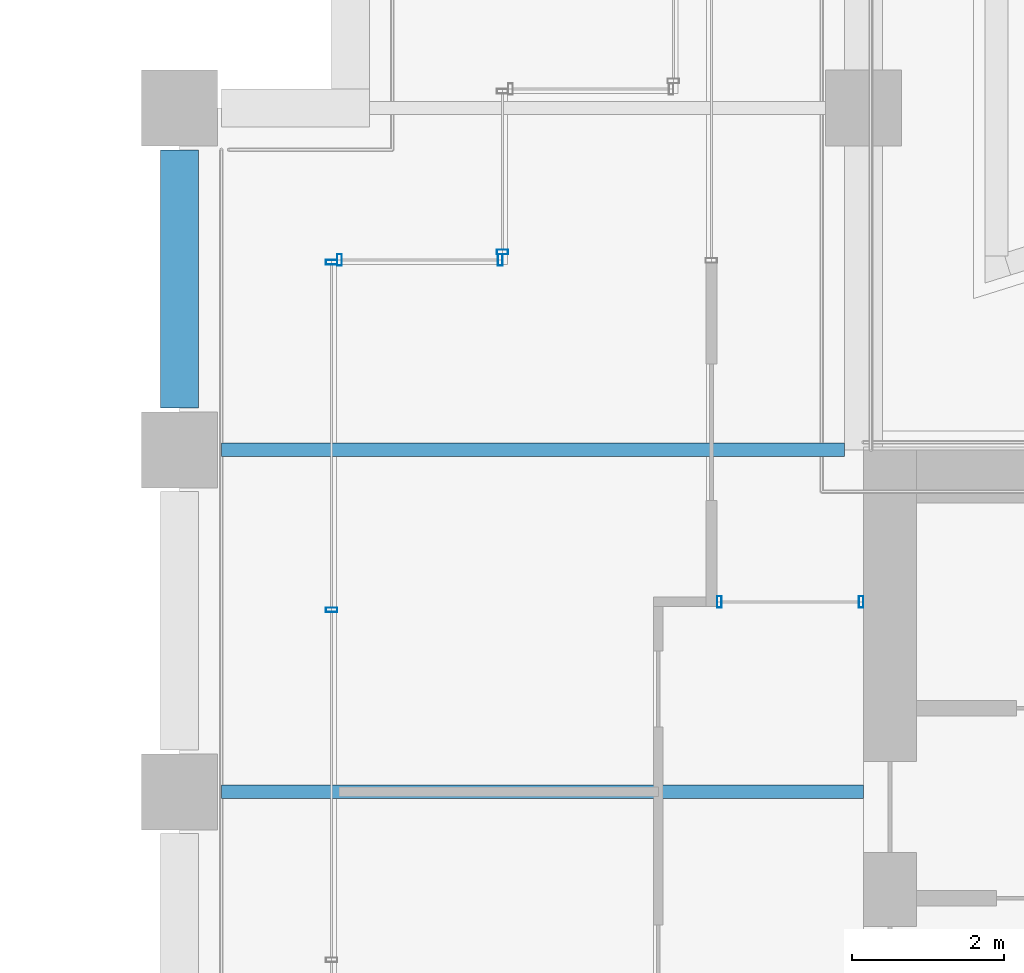
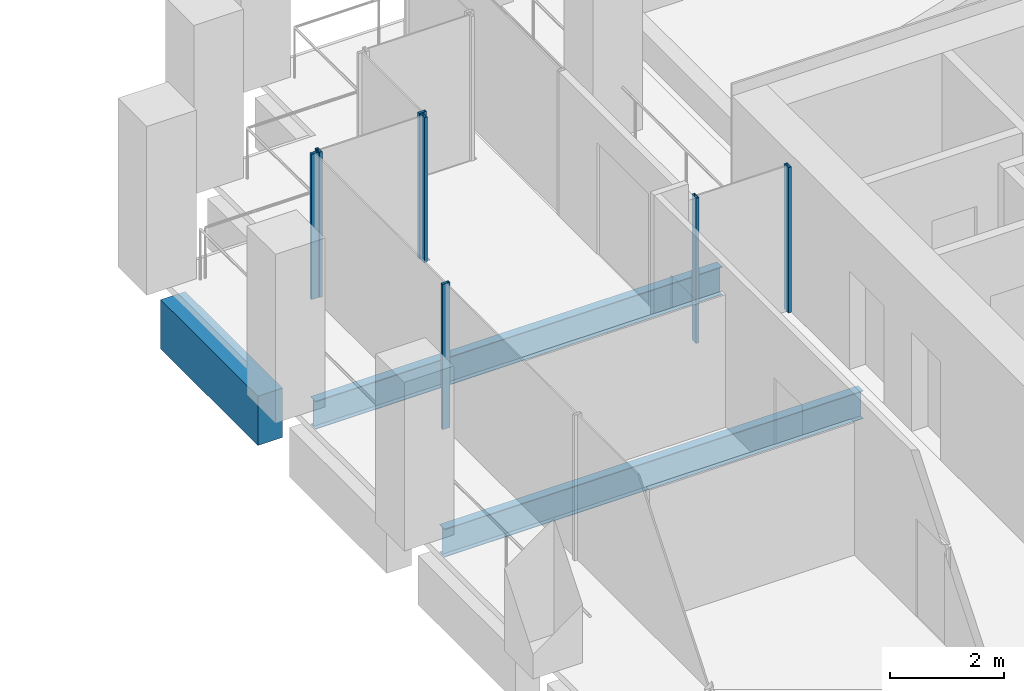
# One storey, part 36 of 52: 7 members, 3 beams, 4 elements without a shape of their own.
"""IFC4 building model written with IfcOpenShell, lengths in metres."""

from ifc_helpers import new_model, si_unit, direction, frame, origin, origin_2d, place, context, subcontext, project, spatial, rectangle, hollow_rectangle, i_section, extrude, material, material_profile, profile_set, type_object, element, aggregate, save


model = new_model("IFC4")

# Units and contexts
model_context = context("Model", 3, precision=1e-05, world=origin(), true_north=direction((0.0, 1.0)))
body_context = subcontext(model_context, "Body", "Model", "MODEL_VIEW")
ifc_project = project(units=[si_unit("LENGTHUNIT", "METRE"), si_unit("AREAUNIT", "SQUARE_METRE"), si_unit("VOLUMEUNIT", "CUBIC_METRE"), si_unit("PLANEANGLEUNIT", "RADIAN"), si_unit("MASSUNIT", "GRAM", prefix="KILO")], contexts=[model_context])

# Site, building, storey
site_placement = place(None, origin())
site = spatial("IfcSite", under=ifc_project, at=site_placement, CompositionType="ELEMENT")
building_placement = place(site_placement, origin())
building = spatial("IfcBuilding", under=site, at=building_placement, Name="Altepetl Exchange Towers", CompositionType="ELEMENT")
storey_placement = place(building_placement, frame((0.0, 0.0, 92.0)))
storey = spatial("IfcBuildingStorey", under=building, at=storey_placement, Name="L22", CompositionType="ELEMENT", Elevation=92.0)

# Beams
ifc_material_1 = material(Name="Steel S355", Category="steel")
ifc_material_profile_1 = material_profile(ifc_material_1, i_section(OverallWidth=0.177978515625, OverallDepth=0.59912109375, WebThickness=0.010009765625, FlangeThickness=0.0126953125, at=origin_2d()), Name="W24X55")
ifc_profile_set_1 = profile_set([ifc_material_profile_1], Name="Steel S355")
beam_type_1 = type_object("IfcBeamType", Name="Floor beam W24X55", PredefinedType="BEAM", material=ifc_profile_set_1)
beam_1_placement = place(storey_placement, frame((95.050048828125, 45.0, -0.449462890625), z_axis=(1.0, 0.0, 0.0), x_axis=(0.0, 1.0, 0.0)))
element("IfcBeam", 1, at=beam_1_placement, inside=storey, type_object=beam_type_1, Name="bm:B:L22:009", PredefinedType="BEAM", context=body_context, shape_type="SweptSolid", body=[
    extrude(i_section(OverallWidth=0.177978515625, OverallDepth=0.59912109375, WebThickness=0.010009765625, FlangeThickness=0.0126953125, at=origin_2d()), origin(), (0.0, 0.0, 1.0), 8.449951171875),
])
beam_2_placement = place(storey_placement, frame((95.050048828125, 49.5, -0.449462890625), z_axis=(1.0, 0.0, 0.0), x_axis=(0.0, 1.0, 0.0)))
element("IfcBeam", 2, at=beam_2_placement, inside=storey, type_object=beam_type_1, Name="bm:B:L22:010", PredefinedType="BEAM", context=body_context, shape_type="SweptSolid", body=[
    extrude(i_section(OverallWidth=0.177978515625, OverallDepth=0.59912109375, WebThickness=0.010009765625, FlangeThickness=0.0126953125, at=origin_2d()), origin(), (0.0, 0.0, 1.0), 8.199951171875),
])

# Curtain wall, members
ifc_material_2 = material(Name="Aluminium 6063-T6 glazing", Category="aluminium")
curtain_wall_type = type_object("IfcCurtainWallType", Name="Loggia glazing system", PredefinedType="NOTDEFINED", material=ifc_material_2)
curtain_wall_1_placement = place(storey_placement, origin())
curtain_wall_1 = element("IfcCurtainWall", 3, at=curtain_wall_1_placement, inside=storey, type_object=curtain_wall_type, Name="CW1 run", PredefinedType="NOTDEFINED")
ifc_material_3 = material(Name="Aluminium 6063-T6", Category="aluminium")
ifc_material_profile_2 = material_profile(ifc_material_3, hollow_rectangle(XDim=0.06005859375, YDim=0.14990234375, WallThickness=0.0029296875, at=origin_2d()), Name="Mullion 60x150 aluminium")
ifc_profile_set_2 = profile_set([ifc_material_profile_2], Name="Aluminium 6063-T6")
member_type = type_object("IfcMemberType", Name="Mullion 60x150 aluminium", PredefinedType="MULLION", material=ifc_profile_set_2)
member_1_placement = place(storey_placement, frame((98.719970703125, 52.0, 0.0), z_axis=(0.0, 0.0, 1.0), x_axis=(-1.0, 0.0, 0.0)))
member_1 = element("IfcMember", 4, at=member_1_placement, type_object=member_type, Name="MU1 mullion", PredefinedType="MULLION", context=body_context, shape_type="SweptSolid", body=[
    extrude(hollow_rectangle(XDim=0.06005859375, YDim=0.14990234375, WallThickness=0.0029296875, at=origin_2d()), origin(), (0.0, 0.0, 1.0), 3.10009765625),
])
member_2_placement = place(storey_placement, frame((96.60498046875, 52.0, 0.0), z_axis=(0.0, 0.0, 1.0), x_axis=(-1.0, 0.0, 0.0)))
member_2 = element("IfcMember", 5, at=member_2_placement, type_object=member_type, Name="MU1 mullion", PredefinedType="MULLION", context=body_context, shape_type="SweptSolid", body=[
    extrude(hollow_rectangle(XDim=0.06005859375, YDim=0.14990234375, WallThickness=0.0029296875, at=origin_2d()), origin(), (0.0, 0.0, 1.0), 3.10009765625),
])
aggregate(curtain_wall_1, [member_1, member_2])

curtain_wall_2_placement = place(storey_placement, origin())
curtain_wall_2 = element("IfcCurtainWall", 6, at=curtain_wall_2_placement, inside=storey, type_object=curtain_wall_type, Name="CW1 run", PredefinedType="NOTDEFINED")
member_3_placement = place(storey_placement, frame((96.5, 51.969970703125, 0.0), z_axis=(0.0, 0.0, 1.0), x_axis=(0.0, -1.0, 0.0)))
member_3 = element("IfcMember", 7, at=member_3_placement, type_object=member_type, Name="MU1 mullion", PredefinedType="MULLION", context=body_context, shape_type="SweptSolid", body=[
    extrude(hollow_rectangle(XDim=0.06005859375, YDim=0.14990234375, WallThickness=0.0029296875, at=origin_2d()), origin(), (0.0, 0.0, 1.0), 3.10009765625),
])
member_4_placement = place(storey_placement, frame((96.5, 47.393798828125, 0.0), z_axis=(0.0, 0.0, 1.0), x_axis=(0.0, -1.0, 0.0)))
member_4 = element("IfcMember", 8, at=member_4_placement, type_object=member_type, Name="MU1 mullion", PredefinedType="MULLION", context=body_context, shape_type="SweptSolid", body=[
    extrude(hollow_rectangle(XDim=0.06005859375, YDim=0.14990234375, WallThickness=0.0029296875, at=origin_2d()), origin(), (0.0, 0.0, 1.0), 3.10009765625),
])
aggregate(curtain_wall_2, [member_3, member_4])

curtain_wall_3_placement = place(storey_placement, origin())
curtain_wall_3 = element("IfcCurtainWall", 9, at=curtain_wall_3_placement, inside=storey, type_object=curtain_wall_type, Name="CW1 run", PredefinedType="NOTDEFINED")
member_5_placement = place(storey_placement, frame((103.469970703125, 47.5, 0.0), z_axis=(0.0, 0.0, 1.0), x_axis=(-1.0, 0.0, 0.0)))
member_5 = element("IfcMember", 10, at=member_5_placement, type_object=member_type, Name="MU1 mullion", PredefinedType="MULLION", context=body_context, shape_type="SweptSolid", body=[
    extrude(hollow_rectangle(XDim=0.06005859375, YDim=0.14990234375, WallThickness=0.0029296875, at=origin_2d()), origin(), (0.0, 0.0, 1.0), 3.10009765625),
])
member_6_placement = place(storey_placement, frame((101.60498046875, 47.5, 0.0), z_axis=(0.0, 0.0, 1.0), x_axis=(-1.0, 0.0, 0.0)))
member_6 = element("IfcMember", 11, at=member_6_placement, type_object=member_type, Name="MU1 mullion", PredefinedType="MULLION", context=body_context, shape_type="SweptSolid", body=[
    extrude(hollow_rectangle(XDim=0.06005859375, YDim=0.14990234375, WallThickness=0.0029296875, at=origin_2d()), origin(), (0.0, 0.0, 1.0), 3.10009765625),
])
aggregate(curtain_wall_3, [member_5, member_6])

# Curtain wall, member
curtain_wall_4_placement = place(storey_placement, origin())
curtain_wall_4 = element("IfcCurtainWall", 12, at=curtain_wall_4_placement, inside=storey, type_object=curtain_wall_type, Name="CW1 run", PredefinedType="NOTDEFINED")
member_7_placement = place(storey_placement, frame((98.75, 52.10498046875, 0.0), z_axis=(0.0, 0.0, 1.0), x_axis=(0.0, -1.0, 0.0)))
member_7 = element("IfcMember", 13, at=member_7_placement, type_object=member_type, Name="MU1 mullion", PredefinedType="MULLION", context=body_context, shape_type="SweptSolid", body=[
    extrude(hollow_rectangle(XDim=0.06005859375, YDim=0.14990234375, WallThickness=0.0029296875, at=origin_2d()), origin(), (0.0, 0.0, 1.0), 3.10009765625),
])
aggregate(curtain_wall_4, [member_7])

# Beam
ifc_material_4 = material(Name="Concrete C50/60 precast with cantera rosa facing", Category="concrete")
ifc_material_profile_3 = material_profile(ifc_material_4, rectangle(XDim=0.5, YDim=1.050048828125, at=origin_2d()), Name="500 x 1050")
ifc_profile_set_3 = profile_set([ifc_material_profile_3], Name="Concrete C50/60 precast with cantera rosa facing")
beam_type_2 = type_object("IfcBeamType", Name="Spandrel beam 500x1050 cantera rosa", PredefinedType="SPANDREL", material=ifc_profile_set_3)
beam_3_placement = place(storey_placement, frame((94.5, 53.449951171875, -0.675048828125), z_axis=(0.0, -1.0, 0.0), x_axis=(1.0, 0.0, 0.0)))
element("IfcBeam", 14, at=beam_3_placement, inside=storey, type_object=beam_type_2, Name="sp:B:L22:022", PredefinedType="SPANDREL", context=body_context, shape_type="SweptSolid", body=[
    extrude(rectangle(XDim=0.5, YDim=1.050048828125, at=origin_2d()), origin(), (0.0, 0.0, 1.0), 3.39990234375),
])

save(model, "model.ifc")
